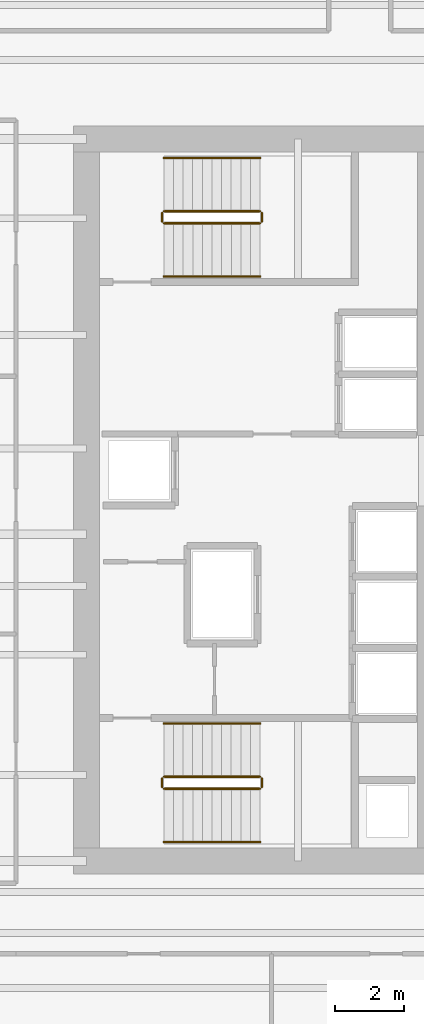
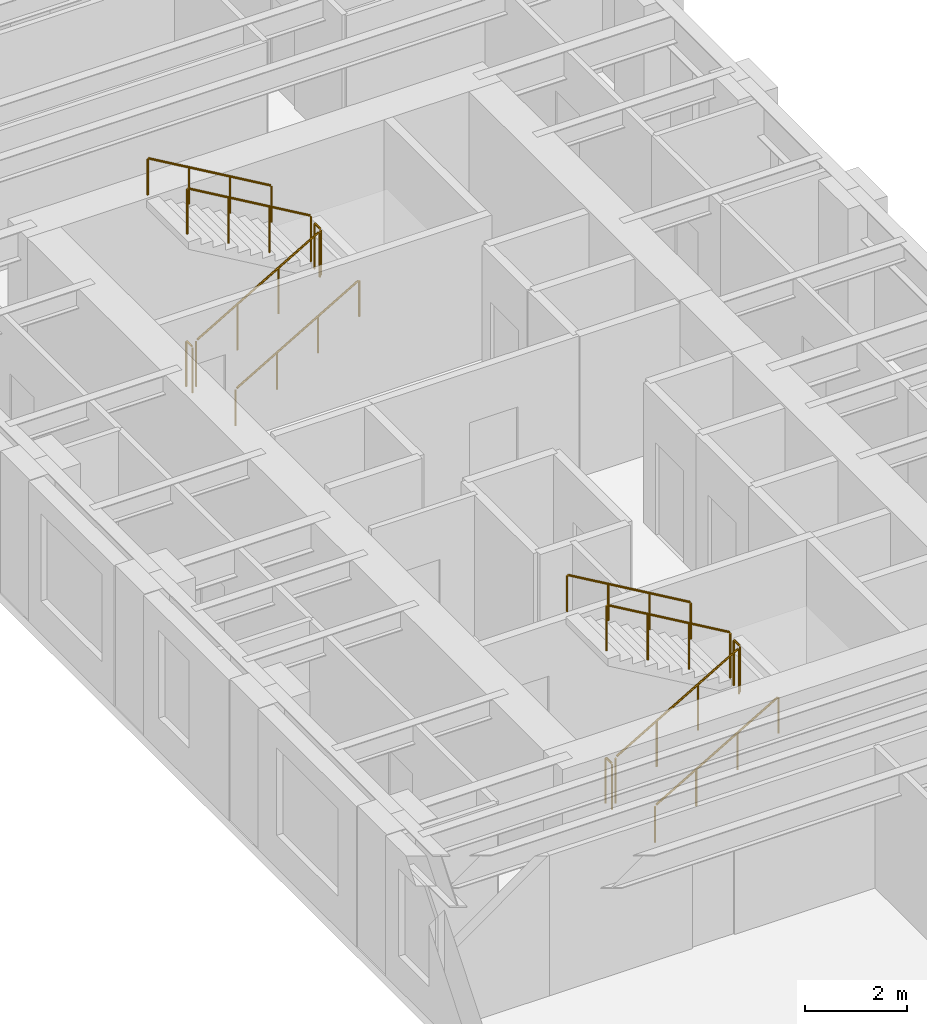
# One storey, part 11 of 12: 12 railings.
"""IFC4 building model written with IfcOpenShell, lengths in metres."""

from ifc_helpers import new_model, si_unit, direction, frame, origin, origin_2d, place, context, subcontext, project, spatial, circle, extrude, source, transform, mapped, material, layer, layer_set, type_object, element, save


model = new_model("IFC4")

# Units and contexts
model_context = context("Model", 3, precision=1e-05, world=origin(), true_north=direction((0.0, 1.0)))
body_context = subcontext(model_context, "Body", "Model", "MODEL_VIEW")
ifc_project = project(units=[si_unit("LENGTHUNIT", "METRE"), si_unit("AREAUNIT", "SQUARE_METRE"), si_unit("VOLUMEUNIT", "CUBIC_METRE"), si_unit("PLANEANGLEUNIT", "RADIAN"), si_unit("MASSUNIT", "GRAM", prefix="KILO")], contexts=[model_context])

# Site, building, storey
site_placement = place(None, origin())
site = spatial("IfcSite", under=ifc_project, at=site_placement, CompositionType="ELEMENT")
building_placement = place(site_placement, origin())
building = spatial("IfcBuilding", under=site, at=building_placement, Name="Kharzan Plaza Tower", CompositionType="ELEMENT")
storey_placement = place(building_placement, frame((0.0, 0.0, 117.0)))
storey = spatial("IfcBuildingStorey", under=building, at=storey_placement, Name="L31", CompositionType="ELEMENT", Elevation=117.0)

# Railings
ifc_material_1 = material(Name="Painted Galvanized Architectural Steel", Category="steel")
ifc_layer_1 = layer(ifc_material_1, 0.074951171875)
ifc_layer_set_1 = layer_set([ifc_layer_1], Name="Painted Galvanized Architectural Steel")
railing_type_1 = type_object("IfcRailingType", Name="RL-GUARD-1120", PredefinedType="BALUSTRADE", material=ifc_layer_set_1)
shared_shape_1 = source(origin(), body_context, "Body", "SweptSolid", [
    extrude(circle(Radius=0.02392578125, at=origin_2d()), frame((0.0, 0.0263671875, 1.09619140625), z_axis=(0.0, 1.0, 0.0), x_axis=(-1.0, 0.0, 0.0)), (0.0, 0.0, 1.0), 0.197021484375),
    extrude(circle(Radius=0.02099609375, at=origin_2d()), origin(), (0.0, 0.0, 1.0), 1.072021484375),
    extrude(circle(Radius=0.02099609375, at=origin_2d()), frame((0.0, 0.25, 0.0)), (0.0, 0.0, 1.0), 1.072021484375),
])
for number, where, name in (
    (1, (9.60009765625, 10.64990234375, 1.800048828125), "L31 ST-1 stair guard 2"),
    (2, (6.699951171875, 10.64990234375, 0.0), "L31 ST-1 stair guard 4"),
    (3, (9.60009765625, 27.10009765625, 1.800048828125), "L31 ST-2 stair guard 2"),
    (4, (6.699951171875, 27.10009765625, 0.0), "L31 ST-2 stair guard 4"),
):
    element("IfcRailing", number, at=place(storey_placement, frame(where)), inside=storey, type_object=railing_type_1, Name=name, PredefinedType="BALUSTRADE", context=body_context, shape_type="MappedRepresentation", body=[
        mapped(shared_shape_1, transform((0.0, 0.0, 0.0), x_axis=(1.0, 0.0, 0.0), y_axis=(0.0, 1.0, 0.0), z_axis=(0.0, 0.0, 1.0))),
    ])
shared_shape_2 = source(origin(), body_context, "Body", "SweptSolid", [
    extrude(circle(Radius=0.02392578125, at=origin_2d()), frame((0.02294921875, 0.0, 1.109375), z_axis=(0.863360870873, 0.0, 0.504586966384), x_axis=(0.0, 1.0, 0.0)), (0.0, 0.0, 1.0), 3.190185546875),
    extrude(circle(Radius=0.02099609375, at=origin_2d()), origin(), (0.0, 0.0, 1.0), 1.072021484375),
    extrude(circle(Radius=0.02099609375, at=origin_2d()), frame((0.933349609375, 0.0, 0.54541015625)), (0.0, 0.0, 1.0), 1.072021484375),
    extrude(circle(Radius=0.02099609375, at=origin_2d()), frame((1.86669921875, 0.0, 1.091064453125)), (0.0, 0.0, 1.0), 1.072021484375),
    extrude(circle(Radius=0.02099609375, at=origin_2d()), frame((2.800048828125, 0.0, 1.636474609375)), (0.0, 0.0, 1.0), 1.072021484375),
])
for number, where, name in (
    (5, (6.75, 10.60009765625, 0.16357421875), "L31 ST-1 stair guard 1"),
    (6, (6.75, 27.050048828125, 0.16357421875), "L31 ST-2 stair guard 1"),
):
    element("IfcRailing", number, at=place(storey_placement, frame(where)), inside=storey, type_object=railing_type_1, Name=name, PredefinedType="BALUSTRADE", context=body_context, shape_type="MappedRepresentation", body=[
        mapped(shared_shape_2, transform((0.0, 0.0, 0.0), x_axis=(1.0, 0.0, 0.0), y_axis=(0.0, 1.0, 0.0), z_axis=(0.0, 0.0, 1.0))),
    ])
shared_shape_3 = source(origin(), body_context, "Body", "SweptSolid", [
    extrude(circle(Radius=0.02392578125, at=origin_2d()), frame((-0.02294921875, 0.0, 1.109375), z_axis=(-0.863360870873, 0.0, 0.504586966384), x_axis=(0.0, -1.0, 0.0)), (0.0, 0.0, 1.0), 3.190185546875),
    extrude(circle(Radius=0.02099609375, at=origin_2d()), origin(), (0.0, 0.0, 1.0), 1.072021484375),
    extrude(circle(Radius=0.02099609375, at=origin_2d()), frame((-0.933349609375, 0.0, 0.54541015625)), (0.0, 0.0, 1.0), 1.072021484375),
    extrude(circle(Radius=0.02099609375, at=origin_2d()), frame((-1.86669921875, 0.0, 1.091064453125)), (0.0, 0.0, 1.0), 1.072021484375),
    extrude(circle(Radius=0.02099609375, at=origin_2d()), frame((-2.800048828125, 0.0, 1.636474609375)), (0.0, 0.0, 1.0), 1.072021484375),
])
for number, where, name in (
    (7, (9.550048828125, 10.949951171875, 1.963623046875), "L31 ST-1 stair guard 3"),
    (8, (9.550048828125, 27.39990234375, 1.963623046875), "L31 ST-2 stair guard 3"),
):
    element("IfcRailing", number, at=place(storey_placement, frame(where)), inside=storey, type_object=railing_type_1, Name=name, PredefinedType="BALUSTRADE", context=body_context, shape_type="MappedRepresentation", body=[
        mapped(shared_shape_3, transform((0.0, 0.0, 0.0), x_axis=(1.0, 0.0, 0.0), y_axis=(0.0, 1.0, 0.0), z_axis=(0.0, 0.0, 1.0))),
    ])
ifc_material_2 = material(Name="Brushed Stainless Steel", Category="steel")
ifc_layer_2 = layer(ifc_material_2, 0.050048828125)
ifc_layer_set_2 = layer_set([ifc_layer_2], Name="Brushed Stainless Steel")
railing_type_2 = type_object("IfcRailingType", Name="RL-STAIR-HR920", PredefinedType="HANDRAIL", material=ifc_layer_set_2)
shared_shape_4 = source(origin(), body_context, "Body", "SweptSolid", [
    extrude(circle(Radius=0.02392578125, at=origin_2d()), frame((0.02294921875, 0.0, 0.88916015625), z_axis=(0.863360870873, 0.0, 0.504586966384), x_axis=(0.0, 1.0, 0.0)), (0.0, 0.0, 1.0), 3.190185546875),
    extrude(circle(Radius=0.02099609375, at=origin_2d()), origin(), (0.0, 0.0, 1.0), 0.851806640625),
    extrude(circle(Radius=0.02099609375, at=origin_2d()), frame((0.933349609375, 0.0, 0.54541015625)), (0.0, 0.0, 1.0), 0.851806640625),
    extrude(circle(Radius=0.02099609375, at=origin_2d()), frame((1.86669921875, 0.0, 1.091064453125)), (0.0, 0.0, 1.0), 0.851806640625),
    extrude(circle(Radius=0.02099609375, at=origin_2d()), frame((2.800048828125, 0.0, 1.636474609375)), (0.0, 0.0, 1.0), 0.851806640625),
])
for number, where, name in (
    (9, (6.75, 9.050048828125, 0.16357421875), "L31 ST-1 stair handrail 1"),
    (10, (6.75, 25.5, 0.16357421875), "L31 ST-2 stair handrail 1"),
):
    element("IfcRailing", number, at=place(storey_placement, frame(where)), inside=storey, type_object=railing_type_2, Name=name, PredefinedType="HANDRAIL", context=body_context, shape_type="MappedRepresentation", body=[
        mapped(shared_shape_4, transform((0.0, 0.0, 0.0), x_axis=(1.0, 0.0, 0.0), y_axis=(0.0, 1.0, 0.0), z_axis=(0.0, 0.0, 1.0))),
    ])
shared_shape_5 = source(origin(), body_context, "Body", "SweptSolid", [
    extrude(circle(Radius=0.02392578125, at=origin_2d()), frame((-0.02294921875, 0.0, 0.88916015625), z_axis=(-0.863360870873, 0.0, 0.504586966384), x_axis=(0.0, -1.0, 0.0)), (0.0, 0.0, 1.0), 3.190185546875),
    extrude(circle(Radius=0.02099609375, at=origin_2d()), origin(), (0.0, 0.0, 1.0), 0.851806640625),
    extrude(circle(Radius=0.02099609375, at=origin_2d()), frame((-0.933349609375, 0.0, 0.54541015625)), (0.0, 0.0, 1.0), 0.851806640625),
    extrude(circle(Radius=0.02099609375, at=origin_2d()), frame((-1.86669921875, 0.0, 1.091064453125)), (0.0, 0.0, 1.0), 0.851806640625),
    extrude(circle(Radius=0.02099609375, at=origin_2d()), frame((-2.800048828125, 0.0, 1.636474609375)), (0.0, 0.0, 1.0), 0.851806640625),
])
for number, where, name in (
    (11, (9.550048828125, 12.5, 1.963623046875), "L31 ST-1 stair handrail 2"),
    (12, (9.550048828125, 28.949951171875, 1.963623046875), "L31 ST-2 stair handrail 2"),
):
    element("IfcRailing", number, at=place(storey_placement, frame(where)), inside=storey, type_object=railing_type_2, Name=name, PredefinedType="HANDRAIL", context=body_context, shape_type="MappedRepresentation", body=[
        mapped(shared_shape_5, transform((0.0, 0.0, 0.0), x_axis=(1.0, 0.0, 0.0), y_axis=(0.0, 1.0, 0.0), z_axis=(0.0, 0.0, 1.0))),
    ])

save(model, "model.ifc")
